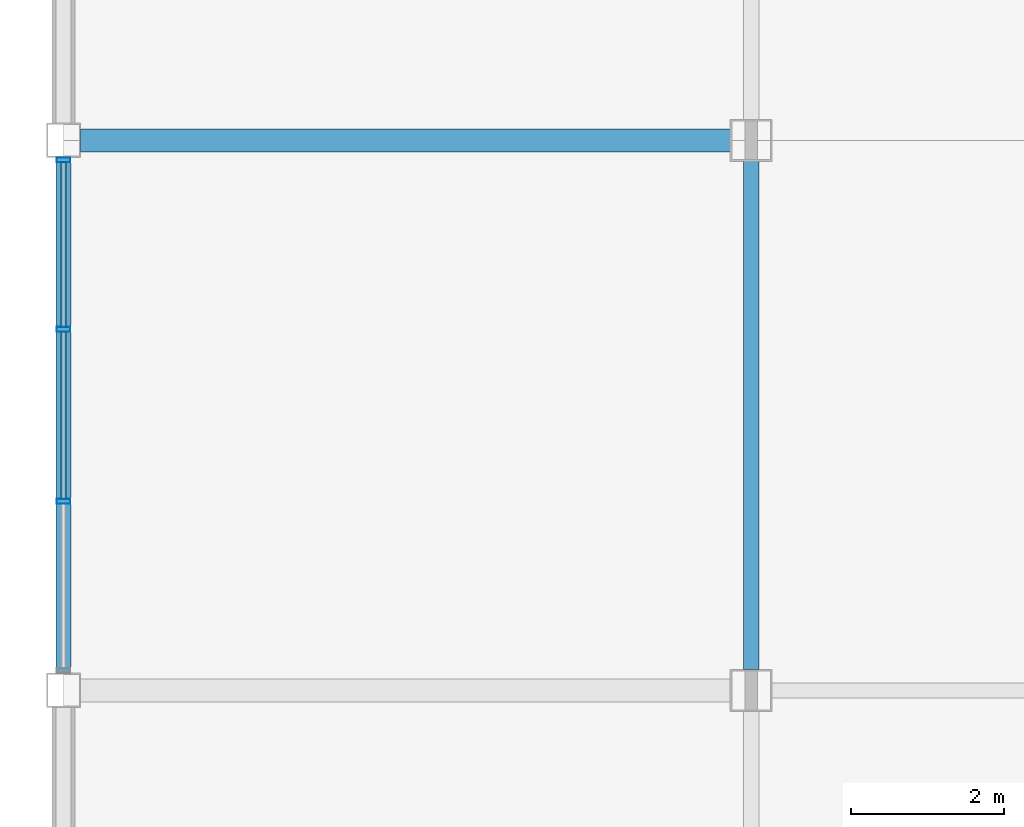
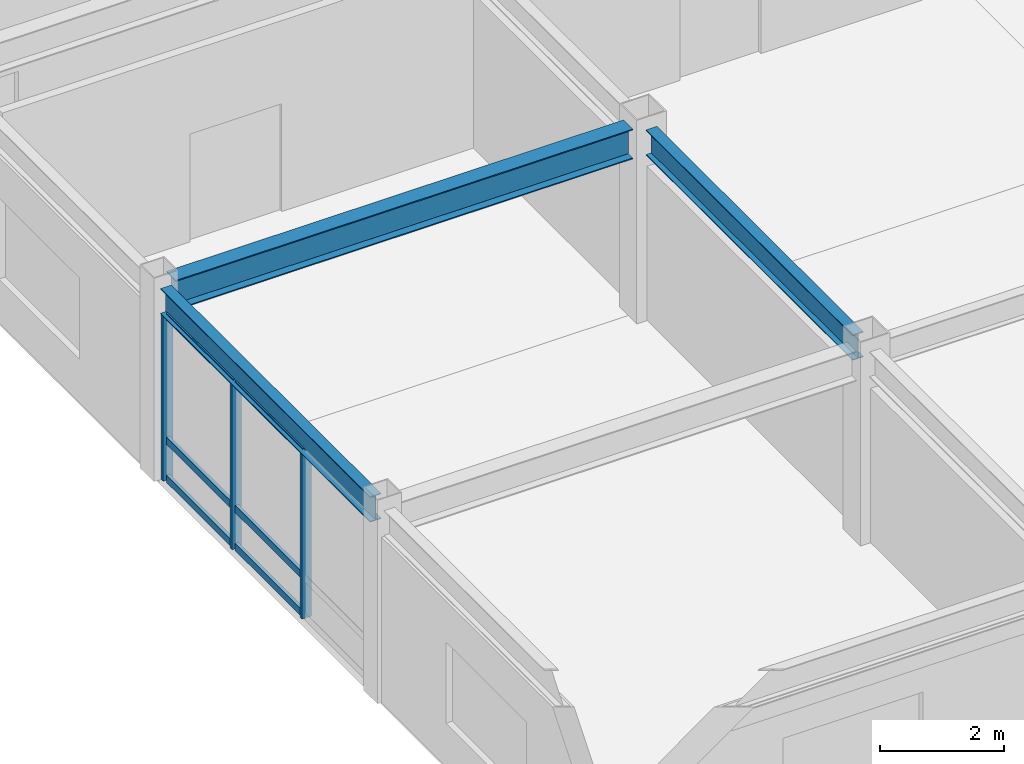
# One storey, part 13 of 122: 9 members, 3 beams, 1 element without a shape of its own.
"""IFC4 building model written with IfcOpenShell, lengths in metres."""

from ifc_helpers import new_model, si_unit, direction, frame, origin, origin_2d, place, context, subcontext, project, spatial, hollow_rectangle, i_section, extrude, material, material_profile, profile_set, type_object, element, aggregate, save


model = new_model("IFC4")

# Units and contexts
model_context = context("Model", 3, precision=1e-05, world=origin(), true_north=direction((0.0, 1.0)))
body_context = subcontext(model_context, "Body", "Model", "MODEL_VIEW")
ifc_project = project(units=[si_unit("LENGTHUNIT", "METRE"), si_unit("AREAUNIT", "SQUARE_METRE"), si_unit("VOLUMEUNIT", "CUBIC_METRE"), si_unit("PLANEANGLEUNIT", "RADIAN"), si_unit("MASSUNIT", "GRAM", prefix="KILO")], contexts=[model_context])

# Site, building, storey
site_placement = place(None, origin())
site = spatial("IfcSite", under=ifc_project, at=site_placement, CompositionType="ELEMENT")
building_placement = place(site_placement, origin())
building = spatial("IfcBuilding", under=site, at=building_placement, Name="Kazanami Central Library", CompositionType="ELEMENT")
storey_placement = place(building_placement, frame((0.0, 0.0, 4.800048828125)))
storey = spatial("IfcBuildingStorey", under=building, at=storey_placement, Name="L02", CompositionType="ELEMENT", Elevation=4.800048828125)

# Beams
ifc_material_1 = material(Name="Steel SN490B (325 MPa)", Category="steel")
ifc_material_profile_1 = material_profile(ifc_material_1, i_section(OverallWidth=0.300048828125, OverallDepth=0.587890625, WebThickness=0.011962890625, FlangeThickness=0.02001953125, at=origin_2d()), Name="H-588x300x12x20")
ifc_profile_set_1 = profile_set([ifc_material_profile_1], Name="Steel SN490B (325 MPa)")
beam_type_1 = type_object("IfcBeamType", Name="BM-G-X2", PredefinedType="BEAM", material=ifc_profile_set_1)
beam_1_placement = place(storey_placement, frame((0.222900390625, 14.39990234375, 3.4609375), z_axis=(1.0, 0.0, 0.0), x_axis=(0.0, 1.0, 0.0)))
element("IfcBeam", 1, at=beam_1_placement, inside=storey, type_object=beam_type_1, Name="Girder G-X2 L02 C/1-2", PredefinedType="BEAM", context=body_context, shape_type="SweptSolid", body=[
    extrude(i_section(OverallWidth=0.300048828125, OverallDepth=0.587890625, WebThickness=0.011962890625, FlangeThickness=0.02001953125, at=origin_2d()), origin(), (0.0, 0.0, 1.0), 8.504150390625),
])
ifc_material_profile_2 = material_profile(ifc_material_1, i_section(OverallWidth=0.199951171875, OverallDepth=0.5, WebThickness=0.010009765625, FlangeThickness=0.01611328125, at=origin_2d()), Name="H-500x200x10x16")
ifc_profile_set_2 = profile_set([ifc_material_profile_2], Name="Steel SN490B (325 MPa)")
beam_type_2 = type_object("IfcBeamType", Name="BM-SP-1", PredefinedType="SPANDREL", material=ifc_profile_set_2)
beam_2_placement = place(storey_placement, frame((0.0, 7.423095703125, 3.5048828125), z_axis=(0.0, 1.0, 0.0), x_axis=(-1.0, 0.0, 0.0)))
element("IfcBeam", 2, at=beam_2_placement, inside=storey, type_object=beam_type_2, Name="Girder SP-1 L02 1/B-C", PredefinedType="SPANDREL", context=body_context, shape_type="SweptSolid", body=[
    extrude(i_section(OverallWidth=0.199951171875, OverallDepth=0.5, WebThickness=0.010009765625, FlangeThickness=0.01611328125, at=origin_2d()), origin(), (0.0, 0.0, 1.0), 6.75390625),
])
beam_3_placement = place(storey_placement, frame((9.0, 7.472900390625, 3.5048828125), z_axis=(0.0, 1.0, 0.0), x_axis=(-1.0, 0.0, 0.0)))
element("IfcBeam", 3, at=beam_3_placement, inside=storey, type_object=beam_type_2, Name="Girder SP-1 L02 2/B-C", PredefinedType="SPANDREL", context=body_context, shape_type="SweptSolid", body=[
    extrude(i_section(OverallWidth=0.199951171875, OverallDepth=0.5, WebThickness=0.010009765625, FlangeThickness=0.01611328125, at=origin_2d()), origin(), (0.0, 0.0, 1.0), 6.654052734375),
])

# Curtain wall, members
ifc_material_2 = material(Name="Acid-Etched Low-E Laminated Glass", Category="glass")
curtain_wall_type = type_object("IfcCurtainWallType", Name="CW-6750x3255-M225", PredefinedType="USERDEFINED", material=ifc_material_2)
curtain_wall_placement = place(storey_placement, origin())
curtain_wall = element("IfcCurtainWall", 4, at=curtain_wall_placement, inside=storey, type_object=curtain_wall_type, Name="Unitised Curtain Wall CW-20 L02 W-1-01", ObjectType="UNITISED CURTAIN WALL", PredefinedType="USERDEFINED")
ifc_material_3 = material(Name="Anodised Aluminium A6063-T5", Category="aluminium")
ifc_material_profile_3 = material_profile(ifc_material_3, hollow_rectangle(XDim=0.06494140625, YDim=0.179931640625, WallThickness=0.00390625, at=origin_2d()), Name="ALU-MULL-65x180x4")
ifc_profile_set_3 = profile_set([ifc_material_profile_3], Name="Anodised Aluminium A6063-T5")
member_type_1 = type_object("IfcMemberType", Name="MEM-CW-M2", PredefinedType="MULLION", material=ifc_profile_set_3)
member_1_placement = place(storey_placement, frame((0.0, 9.675048828125, 0.0), z_axis=(0.0, 0.0, 1.0), x_axis=(0.0, 1.0, 0.0)))
member_1 = element("IfcMember", 5, at=member_1_placement, type_object=member_type_1, Name="CW-20 mullion 2", PredefinedType="MULLION", context=body_context, shape_type="SweptSolid", body=[
    extrude(hollow_rectangle(XDim=0.06494140625, YDim=0.179931640625, WallThickness=0.00390625, at=origin_2d()), origin(), (0.0, 0.0, 1.0), 3.2548828125),
])
member_2_placement = place(storey_placement, frame((0.0, 11.925048828125, 0.0), z_axis=(0.0, 0.0, 1.0), x_axis=(0.0, 1.0, 0.0)))
member_2 = element("IfcMember", 6, at=member_2_placement, type_object=member_type_1, Name="CW-20 mullion 3", PredefinedType="MULLION", context=body_context, shape_type="SweptSolid", body=[
    extrude(hollow_rectangle(XDim=0.06494140625, YDim=0.179931640625, WallThickness=0.00390625, at=origin_2d()), origin(), (0.0, 0.0, 1.0), 3.2548828125),
])
member_3_placement = place(storey_placement, frame((0.0, 14.142578125, 0.0), z_axis=(0.0, 0.0, 1.0), x_axis=(0.0, 1.0, 0.0)))
member_3 = element("IfcMember", 7, at=member_3_placement, type_object=member_type_1, Name="CW-20 mullion 4", PredefinedType="MULLION", context=body_context, shape_type="SweptSolid", body=[
    extrude(hollow_rectangle(XDim=0.06494140625, YDim=0.179931640625, WallThickness=0.00390625, at=origin_2d()), origin(), (0.0, 0.0, 1.0), 3.2548828125),
])
ifc_material_profile_4 = material_profile(ifc_material_3, hollow_rectangle(XDim=0.06494140625, YDim=0.139892578125, WallThickness=0.00390625, at=origin_2d()), Name="ALU-TRAN-65x140x4")
ifc_profile_set_4 = profile_set([ifc_material_profile_4], Name="Anodised Aluminium A6063-T5")
member_type_2 = type_object("IfcMemberType", Name="MEM-CW-T2", PredefinedType="USERDEFINED", material=ifc_profile_set_4)
member_4_placement = place(storey_placement, frame((0.0, 9.70751953125, 0.032470703125), z_axis=(0.0, 1.0, 0.0), x_axis=(-1.0, 0.0, 0.0)))
member_4 = element("IfcMember", 8, at=member_4_placement, type_object=member_type_2, Name="CW-20 transom 2.1", ObjectType="TRANSOM", PredefinedType="USERDEFINED", context=body_context, shape_type="SweptSolid", body=[
    extrude(hollow_rectangle(XDim=0.06494140625, YDim=0.139892578125, WallThickness=0.00390625, at=origin_2d()), origin(), (0.0, 0.0, 1.0), 2.18505859375),
])
member_5_placement = place(storey_placement, frame((0.0, 9.70751953125, 0.780029296875), z_axis=(0.0, 1.0, 0.0), x_axis=(-1.0, 0.0, 0.0)))
member_5 = element("IfcMember", 9, at=member_5_placement, type_object=member_type_2, Name="CW-20 transom 2.2", ObjectType="TRANSOM", PredefinedType="USERDEFINED", context=body_context, shape_type="SweptSolid", body=[
    extrude(hollow_rectangle(XDim=0.06494140625, YDim=0.139892578125, WallThickness=0.00390625, at=origin_2d()), origin(), (0.0, 0.0, 1.0), 2.18505859375),
])
member_6_placement = place(storey_placement, frame((0.0, 9.70751953125, 3.222412109375), z_axis=(0.0, 1.0, 0.0), x_axis=(-1.0, 0.0, 0.0)))
member_6 = element("IfcMember", 10, at=member_6_placement, type_object=member_type_2, Name="CW-20 transom 2.3", ObjectType="TRANSOM", PredefinedType="USERDEFINED", context=body_context, shape_type="SweptSolid", body=[
    extrude(hollow_rectangle(XDim=0.06494140625, YDim=0.139892578125, WallThickness=0.00390625, at=origin_2d()), origin(), (0.0, 0.0, 1.0), 2.18505859375),
])
member_7_placement = place(storey_placement, frame((0.0, 11.95751953125, 0.032470703125), z_axis=(0.0, 1.0, 0.0), x_axis=(-1.0, 0.0, 0.0)))
member_7 = element("IfcMember", 11, at=member_7_placement, type_object=member_type_2, Name="CW-20 transom 3.1", ObjectType="TRANSOM", PredefinedType="USERDEFINED", context=body_context, shape_type="SweptSolid", body=[
    extrude(hollow_rectangle(XDim=0.06494140625, YDim=0.139892578125, WallThickness=0.00390625, at=origin_2d()), origin(), (0.0, 0.0, 1.0), 2.152587890625),
])
member_8_placement = place(storey_placement, frame((0.0, 11.95751953125, 0.780029296875), z_axis=(0.0, 1.0, 0.0), x_axis=(-1.0, 0.0, 0.0)))
member_8 = element("IfcMember", 12, at=member_8_placement, type_object=member_type_2, Name="CW-20 transom 3.2", ObjectType="TRANSOM", PredefinedType="USERDEFINED", context=body_context, shape_type="SweptSolid", body=[
    extrude(hollow_rectangle(XDim=0.06494140625, YDim=0.139892578125, WallThickness=0.00390625, at=origin_2d()), origin(), (0.0, 0.0, 1.0), 2.152587890625),
])
member_9_placement = place(storey_placement, frame((0.0, 11.95751953125, 3.222412109375), z_axis=(0.0, 1.0, 0.0), x_axis=(-1.0, 0.0, 0.0)))
member_9 = element("IfcMember", 13, at=member_9_placement, type_object=member_type_2, Name="CW-20 transom 3.3", ObjectType="TRANSOM", PredefinedType="USERDEFINED", context=body_context, shape_type="SweptSolid", body=[
    extrude(hollow_rectangle(XDim=0.06494140625, YDim=0.139892578125, WallThickness=0.00390625, at=origin_2d()), origin(), (0.0, 0.0, 1.0), 2.152587890625),
])
aggregate(curtain_wall, [member_1, member_2, member_3, member_4, member_5, member_6, member_7, member_8, member_9])

save(model, "model.ifc")
